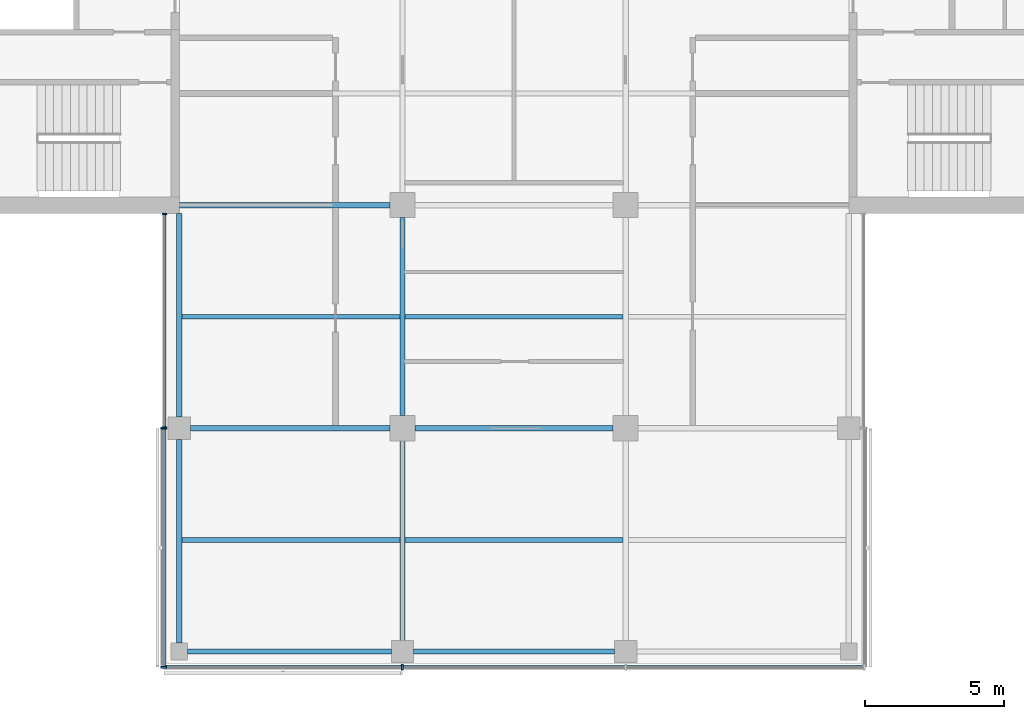
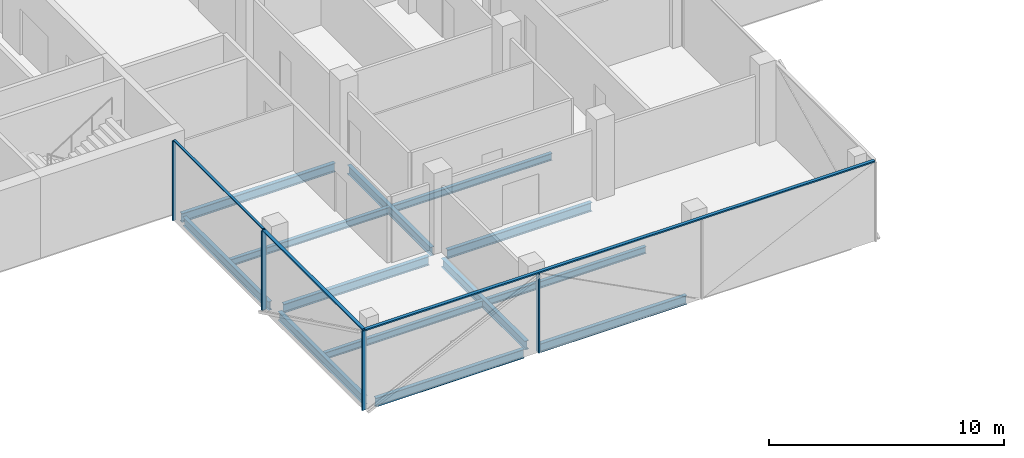
# One storey, part 2 of 16: 13 beams, 8 members, 3 elements without a shape of their own.
"""IFC4 building model written with IfcOpenShell, lengths in metres."""

from ifc_helpers import new_model, si_unit, direction, frame, origin, origin_2d, place, context, subcontext, project, spatial, rectangle, i_section, extrude, material, material_profile, profile_set, type_object, element, aggregate, save


model = new_model("IFC4")

# Units and contexts
model_context = context("Model", 3, precision=1e-05, world=origin(), true_north=direction((0.0, 1.0)))
body_context = subcontext(model_context, "Body", "Model", "MODEL_VIEW")
ifc_project = project(units=[si_unit("LENGTHUNIT", "METRE"), si_unit("AREAUNIT", "SQUARE_METRE"), si_unit("VOLUMEUNIT", "CUBIC_METRE"), si_unit("PLANEANGLEUNIT", "RADIAN"), si_unit("MASSUNIT", "GRAM", prefix="KILO")], contexts=[model_context])

# Site, building, storey
site_placement = place(None, origin())
site = spatial("IfcSite", under=ifc_project, at=site_placement, CompositionType="ELEMENT")
building_placement = place(site_placement, origin())
building = spatial("IfcBuilding", under=site, at=building_placement, Name="Crosswind Convention Tower", CompositionType="ELEMENT")
storey_placement = place(building_placement, frame((0.0, 0.0, 212.5)))
storey = spatial("IfcBuildingStorey", under=building, at=storey_placement, Name="L45", CompositionType="ELEMENT", Elevation=212.5)

# Beams
ifc_material_1 = material(Name="Steel S355", Category="steel")
ifc_material_profile_1 = material_profile(ifc_material_1, i_section(OverallWidth=0.18994140625, OverallDepth=0.45361328125, WebThickness=0.008544921875, FlangeThickness=0.0126953125, FilletRadius=0.01025390625, at=origin_2d()), Name="UB 457x191x67")
ifc_profile_set_1 = profile_set([ifc_material_profile_1], Name="Steel S355")
beam_type_1 = type_object("IfcBeamType", Name="Edge beam UB 457x191x67", PredefinedType="SPANDREL", material=ifc_profile_set_1)
for number, where, z_axis, x_axis, name in (
    (1, (113.0, 72.300048828125, -0.52685546875), (0.0, 1.0, 0.0), (-1.0, 0.0, 0.0), "B16 L45 edge beam 1"),
    (2, (113.0, 80.39990234375, -0.52685546875), (0.0, 1.0, 0.0), (-1.0, 0.0, 0.0), "B16 L45 edge beam 2"),
    (3, (113.300048828125, 72.0, -0.52685546875), (1.0, 0.0, 0.0), (0.0, 1.0, 0.0), "B16 L45 edge beam 5"),
):
    element("IfcBeam", number, at=place(storey_placement, frame(where, z_axis=z_axis, x_axis=x_axis)), inside=storey, type_object=beam_type_1, Name=name, PredefinedType="SPANDREL", context=body_context, shape_type="SweptSolid", body=[
        extrude(i_section(OverallWidth=0.18994140625, OverallDepth=0.45361328125, WebThickness=0.008544921875, FlangeThickness=0.0126953125, FilletRadius=0.01025390625, at=origin_2d()), origin(), (0.0, 0.0, 1.0), 7.300048828125),
    ])
beam_1_placement = place(storey_placement, frame((121.39990234375, 72.0, -0.52685546875), z_axis=(1.0, 0.0, 0.0), x_axis=(0.0, 1.0, 0.0)))
element("IfcBeam", 4, at=beam_1_placement, inside=storey, type_object=beam_type_1, Name="B16 L45 edge beam 7", PredefinedType="SPANDREL", context=body_context, shape_type="SweptSolid", body=[
    extrude(i_section(OverallWidth=0.18994140625, OverallDepth=0.45361328125, WebThickness=0.008544921875, FlangeThickness=0.0126953125, FilletRadius=0.01025390625, at=origin_2d()), origin(), (0.0, 0.0, 1.0), 7.2001953125),
])
ifc_material_profile_2 = material_profile(ifc_material_1, i_section(OverallWidth=0.1904296875, OverallDepth=0.457275390625, WebThickness=0.009033203125, FlangeThickness=0.014404296875, FilletRadius=0.01025390625, at=origin_2d()), Name="UB 457x191x75")
ifc_profile_set_2 = profile_set([ifc_material_profile_2], Name="Steel S355")
beam_type_2 = type_object("IfcBeamType", Name="Girder UB 457x191x75", PredefinedType="BEAM", material=ifc_profile_set_2)
for number, where, z_axis, x_axis, name in (
    (5, (113.39990234375, 80.0, -0.528564453125), (1.0, 0.0, 0.0), (0.0, 1.0, 0.0), "B2 L45 girder 1"),
    (6, (121.0, 72.39990234375, -0.528564453125), (0.0, 1.0, 0.0), (-1.0, 0.0, 0.0), "B2 L45 girder 3"),
):
    element("IfcBeam", number, at=place(storey_placement, frame(where, z_axis=z_axis, x_axis=x_axis)), inside=storey, type_object=beam_type_2, Name=name, PredefinedType="BEAM", context=body_context, shape_type="SweptSolid", body=[
        extrude(i_section(OverallWidth=0.1904296875, OverallDepth=0.457275390625, WebThickness=0.009033203125, FlangeThickness=0.014404296875, FilletRadius=0.01025390625, at=origin_2d()), origin(), (0.0, 0.0, 1.0), 7.150146484375),
    ])
for number, where, z_axis, x_axis, name in (
    (7, (121.0, 80.449951171875, -0.528564453125), (0.0, 1.0, 0.0), (-1.0, 0.0, 0.0), "B2 L45 girder 4"),
    (8, (121.449951171875, 80.0, -0.528564453125), (1.0, 0.0, 0.0), (0.0, 1.0, 0.0), "B2 L45 girder 10"),
):
    element("IfcBeam", number, at=place(storey_placement, frame(where, z_axis=z_axis, x_axis=x_axis)), inside=storey, type_object=beam_type_2, Name=name, PredefinedType="BEAM", context=body_context, shape_type="SweptSolid", body=[
        extrude(i_section(OverallWidth=0.1904296875, OverallDepth=0.457275390625, WebThickness=0.009033203125, FlangeThickness=0.014404296875, FilletRadius=0.01025390625, at=origin_2d()), origin(), (0.0, 0.0, 1.0), 7.10009765625),
    ])
ifc_material_profile_3 = material_profile(ifc_material_1, i_section(OverallWidth=0.19140625, OverallDepth=0.460205078125, WebThickness=0.010009765625, FlangeThickness=0.01611328125, FilletRadius=0.01025390625, at=origin_2d()), Name="UB 457x191x82")
ifc_profile_set_3 = profile_set([ifc_material_profile_3], Name="Steel S355")
beam_type_3 = type_object("IfcBeamType", Name="Girder at core wall UB 457x191x82", PredefinedType="BEAM", material=ifc_profile_set_3)
beam_2_placement = place(storey_placement, frame((113.0, 88.0, -0.530029296875), z_axis=(1.0, 0.0, 0.0), x_axis=(0.0, 1.0, 0.0)))
element("IfcBeam", 9, at=beam_2_placement, inside=storey, type_object=beam_type_3, Name="B23 L45 girder at core wall 1", PredefinedType="BEAM", context=body_context, shape_type="SweptSolid", body=[
    extrude(i_section(OverallWidth=0.19140625, OverallDepth=0.460205078125, WebThickness=0.010009765625, FlangeThickness=0.01611328125, FilletRadius=0.01025390625, at=origin_2d()), origin(), (0.0, 0.0, 1.0), 7.550048828125),
])

# Curtain wall, members
ifc_material_2 = material(Name="Aluminium unitised curtain wall", Category="aluminium")
curtain_wall_type_1 = type_object("IfcCurtainWallType", Name="CORE END SLOT WALL 160", PredefinedType="USERDEFINED", material=ifc_material_2)
curtain_wall_1_placement = place(storey_placement, origin())
curtain_wall_1 = element("IfcCurtainWall", 10, at=curtain_wall_1_placement, inside=storey, type_object=curtain_wall_type_1, Name="CW6 L45 S-W.1-1 slot", ObjectType="UNITISED", PredefinedType="USERDEFINED")
ifc_material_3 = material(Name="Aluminium mullion", Category="aluminium")
ifc_material_profile_4 = material_profile(ifc_material_3, rectangle(XDim=0.159912109375, YDim=0.050048828125, at=origin_2d()), Name="AL 160X50")
ifc_profile_set_4 = profile_set([ifc_material_profile_4], Name="Aluminium mullion")
member_type_1 = type_object("IfcMemberType", Name="MULLION 50X160", PredefinedType="MULLION", material=ifc_profile_set_4)
member_1_placement = place(storey_placement, frame((112.469970703125, 87.675048828125, -0.300048828125), z_axis=(0.0, 0.0, 1.0), x_axis=(-1.0, 0.0, 0.0)))
member_1 = element("IfcMember", 11, at=member_1_placement, type_object=member_type_1, Name="CW6 mullion 1", PredefinedType="MULLION", context=body_context, shape_type="SweptSolid", body=[
    extrude(rectangle(XDim=0.159912109375, YDim=0.050048828125, at=origin_2d()), origin(), (0.0, 0.0, 1.0), 4.150146484375),
])
member_2_placement = place(storey_placement, frame((112.469970703125, 80.02490234375, -0.300048828125), z_axis=(0.0, 0.0, 1.0), x_axis=(-1.0, 0.0, 0.0)))
member_2 = element("IfcMember", 12, at=member_2_placement, type_object=member_type_1, Name="CW6 mullion 2", PredefinedType="MULLION", context=body_context, shape_type="SweptSolid", body=[
    extrude(rectangle(XDim=0.159912109375, YDim=0.050048828125, at=origin_2d()), origin(), (0.0, 0.0, 1.0), 4.150146484375),
])

curtain_wall_type_2 = type_object("IfcCurtainWallType", Name="OFFICE UNITISED WALL 220", PredefinedType="USERDEFINED", material=ifc_material_2)
curtain_wall_2_placement = place(storey_placement, origin())
curtain_wall_2 = element("IfcCurtainWall", 13, at=curtain_wall_2_placement, inside=storey, type_object=curtain_wall_type_2, Name="CW3 L45 S-W 1", ObjectType="UNITISED", PredefinedType="USERDEFINED")
ifc_material_profile_5 = material_profile(ifc_material_3, rectangle(XDim=0.219970703125, YDim=0.070068359375, at=origin_2d()), Name="AL 220X70")
ifc_profile_set_5 = profile_set([ifc_material_profile_5], Name="Aluminium mullion")
member_type_2 = type_object("IfcMemberType", Name="MULLION 70X220", PredefinedType="MULLION", material=ifc_profile_set_5)
member_3_placement = place(storey_placement, frame((112.43994140625, 80.0, -0.300048828125), z_axis=(0.0, 0.0, 1.0), x_axis=(-1.0, 0.0, 0.0)))
member_3 = element("IfcMember", 14, at=member_3_placement, type_object=member_type_2, Name="CW3 mullion 1", PredefinedType="MULLION", context=body_context, shape_type="SweptSolid", body=[
    extrude(rectangle(XDim=0.219970703125, YDim=0.070068359375, at=origin_2d()), origin(), (0.0, 0.0, 1.0), 4.130126953125),
])
member_4_placement = place(storey_placement, frame((112.43994140625, 71.43994140625, -0.300048828125), z_axis=(0.0, 0.0, 1.0), x_axis=(-1.0, 0.0, 0.0)))
member_4 = element("IfcMember", 15, at=member_4_placement, type_object=member_type_2, Name="CW3 mullion 2", PredefinedType="MULLION", context=body_context, shape_type="SweptSolid", body=[
    extrude(rectangle(XDim=0.219970703125, YDim=0.070068359375, at=origin_2d()), origin(), (0.0, 0.0, 1.0), 4.130126953125),
])

# Curtain wall, member
curtain_wall_3_placement = place(storey_placement, origin())
curtain_wall_3 = element("IfcCurtainWall", 16, at=curtain_wall_3_placement, inside=storey, type_object=curtain_wall_type_2, Name="CW3 L45 S-TIP 1", ObjectType="UNITISED", PredefinedType="USERDEFINED")
member_5_placement = place(storey_placement, frame((121.0, 71.43994140625, -0.300048828125), z_axis=(0.0, 0.0, 1.0), x_axis=(0.0, -1.0, 0.0)))
member_5 = element("IfcMember", 17, at=member_5_placement, type_object=member_type_2, Name="CW3 mullion 2", PredefinedType="MULLION", context=body_context, shape_type="SweptSolid", body=[
    extrude(rectangle(XDim=0.219970703125, YDim=0.070068359375, at=origin_2d()), origin(), (0.0, 0.0, 1.0), 4.130126953125),
])

# Beams
ifc_material_profile_6 = material_profile(ifc_material_1, i_section(OverallWidth=0.172119140625, OverallDepth=0.358642578125, WebThickness=0.008056640625, FlangeThickness=0.012939453125, FilletRadius=0.01025390625, at=origin_2d()), Name="UB 356x171x57")
ifc_profile_set_6 = profile_set([ifc_material_profile_6], Name="Steel S355")
beam_type_4 = type_object("IfcBeamType", Name="Secondary beam UB 356x171x57", PredefinedType="JOIST", material=ifc_profile_set_6)
for number, where, z_axis, x_axis, name in (
    (18, (113.094970703125, 76.0, -0.479248046875), (1.0, 0.0, 0.0), (0.0, 1.0, 0.0), "B9 L45 secondary beam 4"),
    (19, (113.094970703125, 84.0, -0.479248046875), (1.0, 0.0, 0.0), (0.0, 1.0, 0.0), "B9 L45 secondary beam 5"),
):
    element("IfcBeam", number, at=place(storey_placement, frame(where, z_axis=z_axis, x_axis=x_axis)), inside=storey, type_object=beam_type_4, Name=name, PredefinedType="JOIST", context=body_context, shape_type="SweptSolid", body=[
        extrude(i_section(OverallWidth=0.172119140625, OverallDepth=0.358642578125, WebThickness=0.008056640625, FlangeThickness=0.012939453125, FilletRadius=0.01025390625, at=origin_2d()), origin(), (0.0, 0.0, 1.0), 7.809814453125),
    ])
for number, where, z_axis, x_axis, name in (
    (20, (121.09521484375, 76.0, -0.479248046875), (1.0, 0.0, 0.0), (0.0, 1.0, 0.0), "B9 L45 secondary beam 8"),
    (21, (121.09521484375, 84.0, -0.479248046875), (1.0, 0.0, 0.0), (0.0, 1.0, 0.0), "B9 L45 secondary beam 9"),
):
    element("IfcBeam", number, at=place(storey_placement, frame(where, z_axis=z_axis, x_axis=x_axis)), inside=storey, type_object=beam_type_4, Name=name, PredefinedType="JOIST", context=body_context, shape_type="SweptSolid", body=[
        extrude(i_section(OverallWidth=0.172119140625, OverallDepth=0.358642578125, WebThickness=0.008056640625, FlangeThickness=0.012939453125, FilletRadius=0.01025390625, at=origin_2d()), origin(), (0.0, 0.0, 1.0), 7.8095703125),
    ])

# Member
ifc_material_4 = material(Name="Aluminium transom", Category="aluminium")
ifc_material_profile_7 = material_profile(ifc_material_4, rectangle(XDim=0.1201171875, YDim=0.050048828125, at=origin_2d()), Name="AL 120X50")
ifc_profile_set_7 = profile_set([ifc_material_profile_7], Name="Aluminium transom")
member_type_3 = type_object("IfcMemberType", Name="TRANSOM 50X120", PredefinedType="USERDEFINED", material=ifc_profile_set_7)
member_6_placement = place(storey_placement, frame((112.469970703125, 87.64990234375, 3.875), z_axis=(0.0, -1.0, 0.0), x_axis=(1.0, 0.0, 0.0)))
member_6 = element("IfcMember", 22, at=member_6_placement, type_object=member_type_3, Name="CW6 transom", ObjectType="TRANSOM", PredefinedType="USERDEFINED", context=body_context, shape_type="SweptSolid", body=[
    extrude(rectangle(XDim=0.1201171875, YDim=0.050048828125, at=origin_2d()), origin(), (0.0, 0.0, 1.0), 7.599853515625),
])

aggregate(curtain_wall_1, [member_1, member_2, member_6])

ifc_material_profile_8 = material_profile(ifc_material_4, rectangle(XDim=0.159912109375, YDim=0.070068359375, at=origin_2d()), Name="AL 160X70")
ifc_profile_set_8 = profile_set([ifc_material_profile_8], Name="Aluminium transom")
member_type_4 = type_object("IfcMemberType", Name="TRANSOM 70X160", PredefinedType="USERDEFINED", material=ifc_profile_set_8)
member_7_placement = place(storey_placement, frame((112.43994140625, 79.965087890625, 3.864990234375), z_axis=(0.0, -1.0, 0.0), x_axis=(1.0, 0.0, 0.0)))
member_7 = element("IfcMember", 23, at=member_7_placement, type_object=member_type_4, Name="CW3 transom", ObjectType="TRANSOM", PredefinedType="USERDEFINED", context=body_context, shape_type="SweptSolid", body=[
    extrude(rectangle(XDim=0.159912109375, YDim=0.070068359375, at=origin_2d()), origin(), (0.0, 0.0, 1.0), 8.489990234375),
])

aggregate(curtain_wall_2, [member_3, member_4, member_7])

member_8_placement = place(storey_placement, frame((112.47509765625, 71.43994140625, 3.864990234375), z_axis=(1.0, 0.0, 0.0), x_axis=(0.0, 1.0, 0.0)))
member_8 = element("IfcMember", 24, at=member_8_placement, type_object=member_type_4, Name="CW3 transom", ObjectType="TRANSOM", PredefinedType="USERDEFINED", context=body_context, shape_type="SweptSolid", body=[
    extrude(rectangle(XDim=0.159912109375, YDim=0.070068359375, at=origin_2d()), origin(), (0.0, 0.0, 1.0), 25.0498046875),
])

aggregate(curtain_wall_3, [member_5, member_8])

save(model, "model.ifc")
